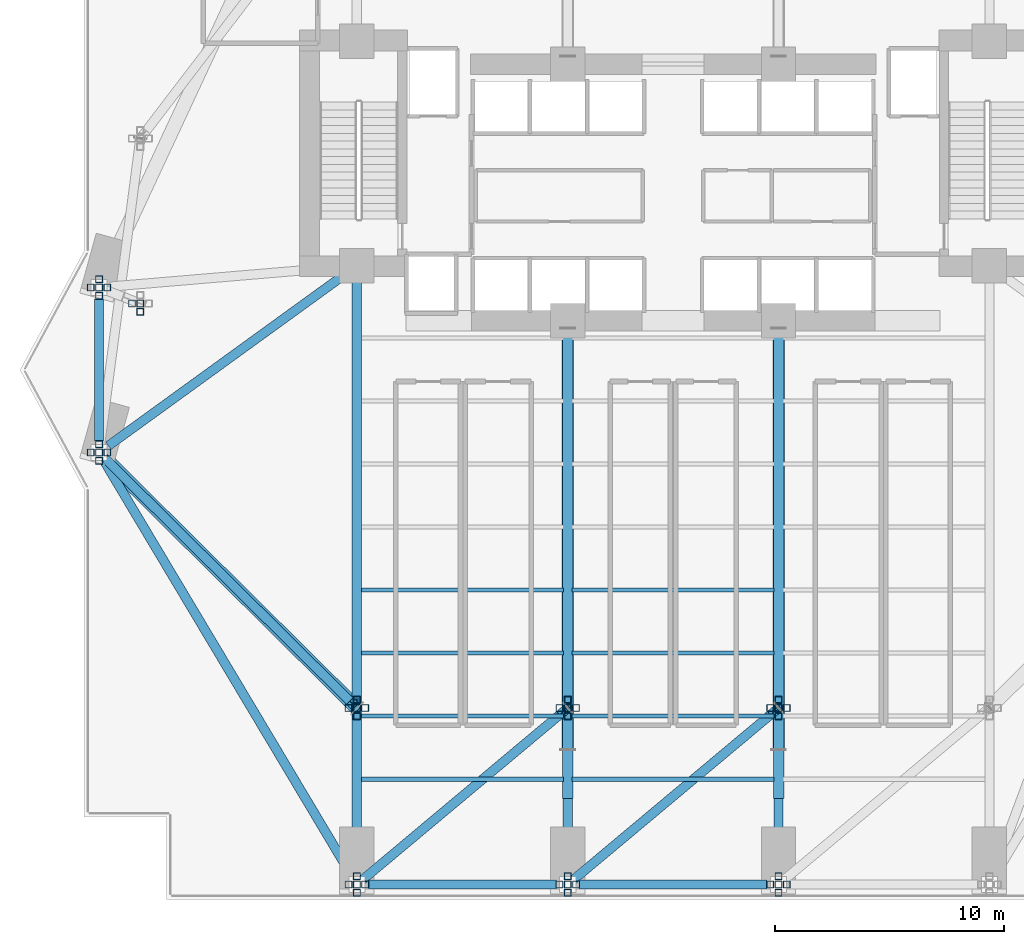
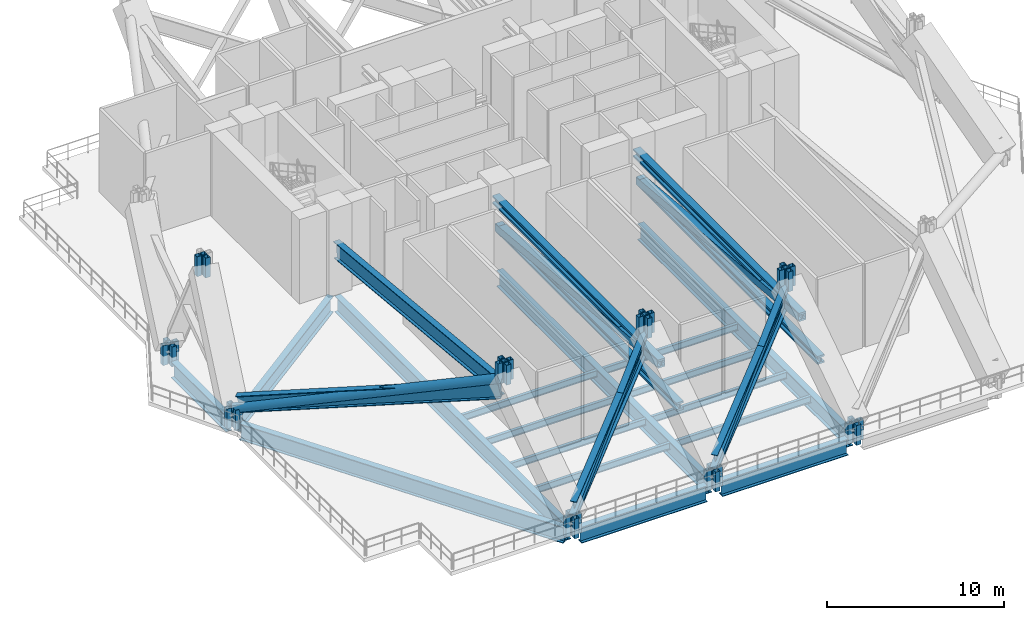
# One storey, part 2 of 21: 52 members, 20 beams.
"""IFC4 building model written with IfcOpenShell, lengths in metres."""

from ifc_helpers import new_model, si_unit, direction, frame, origin, origin_2d, place, context, subcontext, project, spatial, hollow_rectangle, hollow_circle, i_section, extrude, material, material_profile, profile_set, type_object, element, save


model = new_model("IFC4")

# Units and contexts
model_context = context("Model", 3, precision=1e-05, world=origin(), true_north=direction((0.0, 1.0)))
body_context = subcontext(model_context, "Body", "Model", "MODEL_VIEW")
ifc_project = project(units=[si_unit("LENGTHUNIT", "METRE"), si_unit("AREAUNIT", "SQUARE_METRE"), si_unit("VOLUMEUNIT", "CUBIC_METRE"), si_unit("PLANEANGLEUNIT", "RADIAN"), si_unit("MASSUNIT", "GRAM", prefix="KILO")], contexts=[model_context])

# Site, building, storey
site_placement = place(None, origin())
site = spatial("IfcSite", under=ifc_project, at=site_placement, CompositionType="ELEMENT")
building_placement = place(site_placement, origin())
building = spatial("IfcBuilding", under=site, at=building_placement, Name="Zuhayl Quay Hotel", CompositionType="ELEMENT")
storey_placement = place(building_placement, frame((0.0, 0.0, 89.64990234375)))
storey = spatial("IfcBuildingStorey", under=building, at=storey_placement, Name="L22", CompositionType="ELEMENT", Elevation=89.64990234375)

# Beams
ifc_material_1 = material(Name="Steel ASTM A992 Grade 50", Category="steel")
ifc_material_profile_1 = material_profile(ifc_material_1, i_section(OverallWidth=0.18994140625, OverallDepth=0.45703125, WebThickness=0.009033203125, FlangeThickness=0.014404296875, at=origin_2d()), Name="W18X50")
ifc_profile_set_1 = profile_set([ifc_material_profile_1], Name="Steel ASTM A992 Grade 50")
beam_type_1 = type_object("IfcBeamType", Name="BM_J2_W18X50", PredefinedType="JOIST", material=ifc_profile_set_1)
for number, where, z_axis, x_axis, name in (
    (1, (-13.60595703125, -17.85009765625, -0.48828125), (1.0, 0.0, 0.0), (0.0, 1.0, 0.0), "L22 Floor Beam FJ_L22_3_1"),
    (2, (-4.406005859375, -17.85009765625, -0.48828125), (1.0, 0.0, 0.0), (0.0, 1.0, 0.0), "L22 Floor Beam FJ_L22_3_2"),
    (3, (-13.60595703125, -15.10009765625, -0.48828125), (1.0, 0.0, 0.0), (0.0, 1.0, 0.0), "L22 Floor Beam FJ_L22_4_1"),
    (4, (-4.406005859375, -15.10009765625, -0.48828125), (1.0, 0.0, 0.0), (0.0, 1.0, 0.0), "L22 Floor Beam FJ_L22_4_2"),
    (5, (-13.60595703125, -12.35009765625, -0.48828125), (1.0, 0.0, 0.0), (0.0, 1.0, 0.0), "L22 Floor Beam FJ_L22_5_1"),
    (6, (-4.406005859375, -12.35009765625, -0.48828125), (1.0, 0.0, 0.0), (0.0, 1.0, 0.0), "L22 Floor Beam FJ_L22_5_2"),
    (7, (-13.60595703125, -9.60009765625, -0.48828125), (1.0, 0.0, 0.0), (0.0, 1.0, 0.0), "L22 Floor Beam FJ_L22_6_1"),
    (8, (-4.406005859375, -9.60009765625, -0.48828125), (1.0, 0.0, 0.0), (0.0, 1.0, 0.0), "L22 Floor Beam FJ_L22_6_2"),
):
    element("IfcBeam", number, at=place(storey_placement, frame(where, z_axis=z_axis, x_axis=x_axis)), inside=storey, type_object=beam_type_1, Name=name, PredefinedType="JOIST", context=body_context, shape_type="SweptSolid", body=[
        extrude(i_section(OverallWidth=0.18994140625, OverallDepth=0.45703125, WebThickness=0.009033203125, FlangeThickness=0.014404296875, at=origin_2d()), origin(), (0.0, 0.0, 1.0), 8.81201171875),
    ])
ifc_material_2 = material(Name="Steel ASTM A913 Grade 65", Category="steel")
ifc_material_profile_2 = material_profile(ifc_material_2, i_section(OverallWidth=0.404052734375, OverallDepth=1.117919921875, WebThickness=0.026123046875, FlangeThickness=0.044921875, at=origin_2d()), Name="W44X335")
ifc_profile_set_2 = profile_set([ifc_material_profile_2], Name="Steel ASTM A913 Grade 65")
beam_type_2 = type_object("IfcBeamType", Name="BM_TG1_W44X335", PredefinedType="BEAM", material=ifc_profile_set_2)
beam_1_placement = place(storey_placement, frame((-13.300048828125, -22.449951171875, -0.81884765625), z_axis=(1.0, 0.0, 0.0), x_axis=(0.0, 1.0, 0.0)))
element("IfcBeam", 9, at=beam_1_placement, inside=storey, type_object=beam_type_2, Name="L22 Floor Beam RG_L22_01", PredefinedType="BEAM", context=body_context, shape_type="SweptSolid", body=[
    extrude(i_section(OverallWidth=0.404052734375, OverallDepth=1.117919921875, WebThickness=0.026123046875, FlangeThickness=0.044921875, at=origin_2d()), origin(), (0.0, 0.0, 1.0), 8.199951171875),
])
beam_2_placement = place(storey_placement, frame((-4.10009765625, -22.449951171875, -0.81884765625), z_axis=(1.0, 0.0, 0.0), x_axis=(0.0, 1.0, 0.0)))
element("IfcBeam", 10, at=beam_2_placement, inside=storey, type_object=beam_type_2, Name="L22 Floor Beam RG_L22_02", PredefinedType="BEAM", context=body_context, shape_type="SweptSolid", body=[
    extrude(i_section(OverallWidth=0.404052734375, OverallDepth=1.117919921875, WebThickness=0.026123046875, FlangeThickness=0.044921875, at=origin_2d()), origin(), (0.0, 0.0, 1.0), 8.2001953125),
])
beam_3_placement = place(storey_placement, frame((-25.050048828125, 3.10009765625, -0.81884765625), z_axis=(0.0, -1.0, 0.0), x_axis=(1.0, 0.0, 0.0)))
element("IfcBeam", 11, at=beam_3_placement, inside=storey, type_object=beam_type_2, Name="L22 Floor Beam RG_L22_11", PredefinedType="BEAM", context=body_context, shape_type="SweptSolid", body=[
    extrude(i_section(OverallWidth=0.404052734375, OverallDepth=1.117919921875, WebThickness=0.026123046875, FlangeThickness=0.044921875, at=origin_2d()), origin(), (0.0, 0.0, 1.0), 6.2001953125),
])
beam_4_placement = place(storey_placement, frame((-24.793701171875, -4.029296875, -0.81884765625), z_axis=(0.512482593247, -0.85869761361, 0.0), x_axis=(0.85869761361, 0.512482593247, 0.0)))
element("IfcBeam", 12, at=beam_4_placement, inside=storey, type_object=beam_type_2, Name="L22 Floor Beam RG_L22_12", PredefinedType="BEAM", context=body_context, shape_type="SweptSolid", body=[
    extrude(i_section(OverallWidth=0.404052734375, OverallDepth=1.117919921875, WebThickness=0.026123046875, FlangeThickness=0.044921875, at=origin_2d()), origin(), (0.0, 0.0, 1.0), 20.9521484375),
])
for number, where, z_axis, x_axis, name in (
    (13, (-13.56982421875, -22.257568359375, 0.9501953125), (0.729927334205, 0.610950687603, 0.306505047427), (-0.641843222596, 0.766835887011, 0.0), "L22 Wind-Floor Inclined Belt Girder 01"),
    (14, (-4.369873046875, -22.257568359375, 0.9501953125), (0.729927334205, 0.610950687603, 0.306505047427), (-0.641843222596, 0.766835887011, 0.0), "L22 Wind-Floor Inclined Belt Girder 02"),
):
    element("IfcBeam", number, at=place(storey_placement, frame(where, z_axis=z_axis, x_axis=x_axis)), inside=storey, type_object=beam_type_2, Name=name, PredefinedType="BEAM", context=body_context, shape_type="SweptSolid", body=[
        extrude(i_section(OverallWidth=0.404052734375, OverallDepth=1.117919921875, WebThickness=0.026123046875, FlangeThickness=0.044921875, at=origin_2d()), origin(), (0.0, 0.0, 1.0), 11.973388671875),
    ])
beam_5_placement = place(storey_placement, frame((-24.8369140625, -3.811279296875, 0.9501953125), z_axis=(0.690514829797, -0.684378166221, 0.234127733151), x_axis=(0.703943686325, 0.710255789475, 0.0)))
element("IfcBeam", 15, at=beam_5_placement, inside=storey, type_object=beam_type_2, Name="L22 Wind-Floor Inclined Belt Girder 12", PredefinedType="BEAM", context=body_context, shape_type="SweptSolid", body=[
    extrude(i_section(OverallWidth=0.404052734375, OverallDepth=1.117919921875, WebThickness=0.026123046875, FlangeThickness=0.044921875, at=origin_2d()), origin(), (0.0, 0.0, 1.0), 15.6748046875),
])
beam_6_placement = place(storey_placement, frame((-13.800048828125, 4.199951171875, 2.85009765625), z_axis=(0.0, -0.995502517166, 0.094735095484), x_axis=(1.0, 0.0, 0.0)))
element("IfcBeam", 16, at=beam_6_placement, inside=storey, type_object=beam_type_2, Name="L22 Wind-Floor Inclined Outrigger Girder 3", PredefinedType="BEAM", context=body_context, shape_type="SweptSolid", body=[
    extrude(i_section(OverallWidth=0.404052734375, OverallDepth=1.117919921875, WebThickness=0.026123046875, FlangeThickness=0.044921875, at=origin_2d()), origin(), (0.0, 0.0, 1.0), 18.683837890625),
])
beam_7_placement = place(storey_placement, frame((-13.800048828125, -21.949951171875, -0.81884765625), z_axis=(0.0, 1.0, 0.0), x_axis=(-1.0, 0.0, 0.0)))
element("IfcBeam", 17, at=beam_7_placement, inside=storey, type_object=beam_type_2, Name="L22 Floor Beam FG_S_L22_1", PredefinedType="BEAM", context=body_context, shape_type="SweptSolid", body=[
    extrude(i_section(OverallWidth=0.404052734375, OverallDepth=1.117919921875, WebThickness=0.026123046875, FlangeThickness=0.044921875, at=origin_2d()), origin(), (0.0, 0.0, 1.0), 26.050048828125),
])
for number, where, z_axis, x_axis, name in (
    (18, (-4.60009765625, -21.949951171875, -0.81884765625), (0.0, 1.0, 0.0), (-1.0, 0.0, 0.0), "L22 Floor Beam FG_S_L22_2"),
    (19, (4.60009765625, -21.949951171875, -0.81884765625), (0.0, 1.0, 0.0), (-1.0, 0.0, 0.0), "L22 Floor Beam FG_S_L22_3"),
):
    element("IfcBeam", number, at=place(storey_placement, frame(where, z_axis=z_axis, x_axis=x_axis)), inside=storey, type_object=beam_type_2, Name=name, PredefinedType="BEAM", context=body_context, shape_type="SweptSolid", body=[
        extrude(i_section(OverallWidth=0.404052734375, OverallDepth=1.117919921875, WebThickness=0.026123046875, FlangeThickness=0.044921875, at=origin_2d()), origin(), (0.0, 0.0, 1.0), 23.64990234375),
    ])
beam_8_placement = place(storey_placement, frame((-24.64501953125, -3.306640625, -0.81884765625), z_axis=(0.809830244688, 0.586664277751, 0.0), x_axis=(-0.586664277751, 0.809830244688, 0.0)))
element("IfcBeam", 20, at=beam_8_placement, inside=storey, type_object=beam_type_2, Name="L22 Floor Beam FG_W_L22_1", PredefinedType="BEAM", context=body_context, shape_type="SweptSolid", body=[
    extrude(i_section(OverallWidth=0.404052734375, OverallDepth=1.117919921875, WebThickness=0.026123046875, FlangeThickness=0.044921875, at=origin_2d()), origin(), (0.0, 0.0, 1.0), 12.94189453125),
])

# Members
ifc_material_3 = material(Name="Steel ASTM A500 Grade C", Category="steel")
ifc_material_profile_3 = material_profile(ifc_material_3, hollow_rectangle(XDim=0.39990234375, YDim=0.39990234375, WallThickness=0.01611328125, at=origin_2d()), Name="HSS400X400X16")
ifc_profile_set_3 = profile_set([ifc_material_profile_3], Name="Steel ASTM A500 Grade C")
member_type_1 = type_object("IfcMemberType", Name="MB_BT_DIAG_HSS400", PredefinedType="BRACE", material=ifc_profile_set_3)
for number, where, z_axis, x_axis, name in (
    (21, (-13.800048828125, -22.449951171875, 0.550048828125), (0.709918879163, 0.594170621498, 0.378122278578), (-0.641822293965, 0.766853403833, 0.0), "L22 Belt Truss BT1 Diagonal S12"),
    (22, (-4.60009765625, -22.449951171875, 0.550048828125), (0.709928223522, 0.594162674919, 0.378117221481), (-0.641812278073, 0.766861786579, 0.0), "L22 Belt Truss BT1 Diagonal S23"),
):
    element("IfcMember", number, at=place(storey_placement, frame(where, z_axis=z_axis, x_axis=x_axis)), inside=storey, type_object=member_type_1, Name=name, PredefinedType="BRACE", context=body_context, shape_type="SweptSolid", body=[
        extrude(hollow_rectangle(XDim=0.39990234375, YDim=0.39990234375, WallThickness=0.01611328125, at=origin_2d()), origin(), (0.0, 0.0, 1.0), 12.959228515625),
    ])
ifc_material_profile_4 = material_profile(ifc_material_3, hollow_rectangle(XDim=0.300048828125, YDim=0.300048828125, WallThickness=0.012451171875, at=origin_2d()), Name="HSS300X300X12")
ifc_profile_set_4 = profile_set([ifc_material_profile_4], Name="Steel ASTM A500 Grade C")
member_type_2 = type_object("IfcMemberType", Name="MB_CR_BRACE_HSS300", PredefinedType="BRACE", material=ifc_profile_set_4)
for number, where, z_axis, x_axis, name in (
    (23, (-13.800048828125, -22.449951171875, -0.64990234375), (0.0, 0.0, 1.0), (1.0, 0.0, 0.0), "L22 Mega-Column Lower Knuckle Leg MC_S1-1"),
    (24, (-13.800048828125, -14.75, 5.280029296875), (0.0, 0.0, 1.0), (1.0, 0.0, 0.0), "L22 Mega-Column Upper Knuckle Leg MC_S1-1"),
    (25, (-13.800048828125, -22.090087890625, -0.64990234375), (0.0, 0.0, 1.0), (1.0, 0.0, 0.0), "L22 Mega-Column Lower Knuckle Leg MC_S1-2"),
    (26, (-13.800048828125, -14.389892578125, 5.280029296875), (0.0, 0.0, 1.0), (1.0, 0.0, 0.0), "L22 Mega-Column Upper Knuckle Leg MC_S1-2"),
    (27, (-13.800048828125, -22.81005859375, -0.64990234375), (0.0, 0.0, 1.0), (1.0, 0.0, 0.0), "L22 Mega-Column Lower Knuckle Leg MC_S1-3"),
    (28, (-13.800048828125, -15.110107421875, 5.280029296875), (0.0, 0.0, 1.0), (1.0, 0.0, 0.0), "L22 Mega-Column Upper Knuckle Leg MC_S1-3"),
    (29, (-13.43994140625, -22.449951171875, -0.64990234375), (0.0, 0.0, 1.0), (1.0, 0.0, 0.0), "L22 Mega-Column Lower Knuckle Leg MC_S1-4"),
    (30, (-13.43994140625, -14.75, 5.280029296875), (0.0, 0.0, 1.0), (1.0, 0.0, 0.0), "L22 Mega-Column Upper Knuckle Leg MC_S1-4"),
    (31, (-14.159912109375, -22.449951171875, -0.64990234375), (0.0, 0.0, 1.0), (1.0, 0.0, 0.0), "L22 Mega-Column Lower Knuckle Leg MC_S1-5"),
    (32, (-14.159912109375, -14.75, 5.280029296875), (0.0, 0.0, 1.0), (1.0, 0.0, 0.0), "L22 Mega-Column Upper Knuckle Leg MC_S1-5"),
    (33, (-4.60009765625, -22.449951171875, -0.64990234375), (0.0, 0.0, 1.0), (1.0, 0.0, 0.0), "L22 Mega-Column Lower Knuckle Leg MC_S2-1"),
    (34, (-4.60009765625, -14.75, 5.280029296875), (0.0, 0.0, 1.0), (1.0, 0.0, 0.0), "L22 Mega-Column Upper Knuckle Leg MC_S2-1"),
    (35, (-4.60009765625, -22.090087890625, -0.64990234375), (0.0, 0.0, 1.0), (1.0, 0.0, 0.0), "L22 Mega-Column Lower Knuckle Leg MC_S2-2"),
    (36, (-4.60009765625, -14.389892578125, 5.280029296875), (0.0, 0.0, 1.0), (1.0, 0.0, 0.0), "L22 Mega-Column Upper Knuckle Leg MC_S2-2"),
    (37, (-4.60009765625, -22.81005859375, -0.64990234375), (0.0, 0.0, 1.0), (1.0, 0.0, 0.0), "L22 Mega-Column Lower Knuckle Leg MC_S2-3"),
    (38, (-4.60009765625, -15.110107421875, 5.280029296875), (0.0, 0.0, 1.0), (1.0, 0.0, 0.0), "L22 Mega-Column Upper Knuckle Leg MC_S2-3"),
    (39, (-4.239990234375, -22.449951171875, -0.64990234375), (0.0, 0.0, 1.0), (1.0, 0.0, 0.0), "L22 Mega-Column Lower Knuckle Leg MC_S2-4"),
    (40, (-4.239990234375, -14.75, 5.280029296875), (0.0, 0.0, 1.0), (1.0, 0.0, 0.0), "L22 Mega-Column Upper Knuckle Leg MC_S2-4"),
    (41, (-4.9599609375, -22.449951171875, -0.64990234375), (0.0, 0.0, 1.0), (1.0, 0.0, 0.0), "L22 Mega-Column Lower Knuckle Leg MC_S2-5"),
    (42, (-4.9599609375, -14.75, 5.280029296875), (0.0, 0.0, 1.0), (1.0, 0.0, 0.0), "L22 Mega-Column Upper Knuckle Leg MC_S2-5"),
    (43, (4.60009765625, -22.449951171875, -0.64990234375), (0.0, 0.0, 1.0), (1.0, 0.0, 0.0), "L22 Mega-Column Lower Knuckle Leg MC_S3-1"),
    (44, (4.60009765625, -14.75, 5.280029296875), (0.0, 0.0, 1.0), (1.0, 0.0, 0.0), "L22 Mega-Column Upper Knuckle Leg MC_S3-1"),
    (45, (4.60009765625, -22.090087890625, -0.64990234375), (0.0, 0.0, 1.0), (1.0, 0.0, 0.0), "L22 Mega-Column Lower Knuckle Leg MC_S3-2"),
    (46, (4.60009765625, -14.389892578125, 5.280029296875), (0.0, 0.0, 1.0), (1.0, 0.0, 0.0), "L22 Mega-Column Upper Knuckle Leg MC_S3-2"),
    (47, (4.60009765625, -22.81005859375, -0.64990234375), (0.0, 0.0, 1.0), (1.0, 0.0, 0.0), "L22 Mega-Column Lower Knuckle Leg MC_S3-3"),
    (48, (4.60009765625, -15.110107421875, 5.280029296875), (0.0, 0.0, 1.0), (1.0, 0.0, 0.0), "L22 Mega-Column Upper Knuckle Leg MC_S3-3"),
    (49, (4.9599609375, -22.449951171875, -0.64990234375), (0.0, 0.0, 1.0), (1.0, 0.0, 0.0), "L22 Mega-Column Lower Knuckle Leg MC_S3-4"),
    (50, (4.9599609375, -14.75, 5.280029296875), (0.0, 0.0, 1.0), (1.0, 0.0, 0.0), "L22 Mega-Column Upper Knuckle Leg MC_S3-4"),
    (51, (4.239990234375, -22.449951171875, -0.64990234375), (0.0, 0.0, 1.0), (1.0, 0.0, 0.0), "L22 Mega-Column Lower Knuckle Leg MC_S3-5"),
    (52, (4.239990234375, -14.75, 5.280029296875), (0.0, 0.0, 1.0), (1.0, 0.0, 0.0), "L22 Mega-Column Upper Knuckle Leg MC_S3-5"),
    (53, (-25.050048828125, -3.60009765625, -0.64990234375), (0.0, 0.0, 1.0), (1.0, 0.0, 0.0), "L22 Mega-Column Lower Knuckle Leg MC_W1-1"),
    (54, (-23.25, 2.89990234375, 5.280029296875), (0.0, 0.0, 1.0), (1.0, 0.0, 0.0), "L22 Mega-Column Upper Knuckle Leg MC_W1-1"),
    (55, (-25.050048828125, -3.239990234375, -0.64990234375), (0.0, 0.0, 1.0), (1.0, 0.0, 0.0), "L22 Mega-Column Lower Knuckle Leg MC_W1-2"),
    (56, (-25.050048828125, -3.9599609375, -0.64990234375), (0.0, 0.0, 1.0), (1.0, 0.0, 0.0), "L22 Mega-Column Lower Knuckle Leg MC_W1-3"),
    (57, (-23.25, 2.5400390625, 5.280029296875), (0.0, 0.0, 1.0), (1.0, 0.0, 0.0), "L22 Mega-Column Upper Knuckle Leg MC_W1-3"),
    (58, (-24.68994140625, -3.60009765625, -0.64990234375), (0.0, 0.0, 1.0), (1.0, 0.0, 0.0), "L22 Mega-Column Lower Knuckle Leg MC_W1-4"),
    (59, (-25.409912109375, -3.60009765625, -0.64990234375), (0.0, 0.0, 1.0), (1.0, 0.0, 0.0), "L22 Mega-Column Lower Knuckle Leg MC_W1-5"),
    (60, (-23.610107421875, 2.89990234375, 5.280029296875), (0.0, 0.0, 1.0), (1.0, 0.0, 0.0), "L22 Mega-Column Upper Knuckle Leg MC_W1-5"),
    (61, (-25.050048828125, 3.60009765625, -0.64990234375), (0.0, 0.0, 1.0), (1.0, 0.0, 0.0), "L22 Mega-Column Lower Knuckle Leg MC_W2-1"),
    (62, (-25.050048828125, 3.9599609375, -0.64990234375), (0.0, 0.0, 1.0), (1.0, 0.0, 0.0), "L22 Mega-Column Lower Knuckle Leg MC_W2-2"),
    (63, (-25.050048828125, 3.239990234375, -0.64990234375), (0.0, 0.0, 1.0), (1.0, 0.0, 0.0), "L22 Mega-Column Lower Knuckle Leg MC_W2-3"),
    (64, (-24.68994140625, 3.60009765625, -0.64990234375), (0.0, 0.0, 1.0), (1.0, 0.0, 0.0), "L22 Mega-Column Lower Knuckle Leg MC_W2-4"),
    (65, (-25.409912109375, 3.60009765625, -0.64990234375), (0.0, 0.0, 1.0), (1.0, 0.0, 0.0), "L22 Mega-Column Lower Knuckle Leg MC_W2-5"),
):
    element("IfcMember", number, at=place(storey_placement, frame(where, z_axis=z_axis, x_axis=x_axis)), inside=storey, type_object=member_type_2, Name=name, PredefinedType="STRUT", context=body_context, shape_type="SweptSolid", body=[
        extrude(hollow_rectangle(XDim=0.300048828125, YDim=0.300048828125, WallThickness=0.012451171875, at=origin_2d()), origin(), (0.0, 0.0, 1.0), 1.3701171875),
    ])
ifc_material_profile_5 = material_profile(ifc_material_2, i_section(OverallWidth=0.4541015625, OverallDepth=0.569091796875, WebThickness=0.077880859375, FlangeThickness=0.124755859375, at=origin_2d()), Name="W14X730")
ifc_profile_set_5 = profile_set([ifc_material_profile_5], Name="Steel ASTM A913 Grade 65")
member_type_3 = type_object("IfcMemberType", Name="MB_OT_CHORD_730", PredefinedType="CHORD", material=ifc_profile_set_5)
member_1_placement = place(storey_placement, frame((-4.60009765625, -18.68896484375, 2.650146484375), z_axis=(0.0, 1.0, 0.0), x_axis=(-1.0, 0.0, 0.0)))
element("IfcMember", 66, at=member_1_placement, inside=storey, type_object=member_type_3, Name="L22 Outrigger Truss OT1 South Bottom Chord 1", PredefinedType="CHORD", context=body_context, shape_type="SweptSolid", body=[
    extrude(i_section(OverallWidth=0.4541015625, OverallDepth=0.569091796875, WebThickness=0.077880859375, FlangeThickness=0.124755859375, at=origin_2d()), origin(), (0.0, 0.0, 1.0), 20.489013671875),
])
member_2_placement = place(storey_placement, frame((-4.60009765625, -16.602294921875, 4.35009765625), z_axis=(0.0, 1.0, 0.0), x_axis=(-1.0, 0.0, 0.0)))
element("IfcMember", 67, at=member_2_placement, inside=storey, type_object=member_type_3, Name="L22 Outrigger Truss OT1 South Top Chord 1", PredefinedType="CHORD", context=body_context, shape_type="SweptSolid", body=[
    extrude(i_section(OverallWidth=0.4541015625, OverallDepth=0.569091796875, WebThickness=0.077880859375, FlangeThickness=0.124755859375, at=origin_2d()), origin(), (0.0, 0.0, 1.0), 18.752197265625),
])
member_3_placement = place(storey_placement, frame((4.60009765625, -18.68896484375, 2.650146484375), z_axis=(0.0, 1.0, 0.0), x_axis=(-1.0, 0.0, 0.0)))
element("IfcMember", 68, at=member_3_placement, inside=storey, type_object=member_type_3, Name="L22 Outrigger Truss OT1 South Bottom Chord 2", PredefinedType="CHORD", context=body_context, shape_type="SweptSolid", body=[
    extrude(i_section(OverallWidth=0.4541015625, OverallDepth=0.569091796875, WebThickness=0.077880859375, FlangeThickness=0.124755859375, at=origin_2d()), origin(), (0.0, 0.0, 1.0), 20.489013671875),
])
member_4_placement = place(storey_placement, frame((4.60009765625, -16.602294921875, 4.35009765625), z_axis=(0.0, 1.0, 0.0), x_axis=(-1.0, 0.0, 0.0)))
element("IfcMember", 69, at=member_4_placement, inside=storey, type_object=member_type_3, Name="L22 Outrigger Truss OT1 South Top Chord 2", PredefinedType="CHORD", context=body_context, shape_type="SweptSolid", body=[
    extrude(i_section(OverallWidth=0.4541015625, OverallDepth=0.569091796875, WebThickness=0.077880859375, FlangeThickness=0.124755859375, at=origin_2d()), origin(), (0.0, 0.0, 1.0), 18.752197265625),
])
ifc_material_profile_6 = material_profile(ifc_material_3, hollow_rectangle(XDim=0.5, YDim=0.5, WallThickness=0.02001953125, at=origin_2d()), Name="HSS500X500X20")
ifc_profile_set_6 = profile_set([ifc_material_profile_6], Name="Steel ASTM A500 Grade C")
member_type_4 = type_object("IfcMemberType", Name="MB_OT_DIAG_HSS500", PredefinedType="BRACE", material=ifc_profile_set_6)
for number, where, z_axis, x_axis, name in (
    (70, (-4.60009765625, 1.800048828125, 2.650146484375), (0.0, -0.995737362966, 0.092233963341), (1.0, 0.0, 0.0), "L22 Outrigger Truss OT1 South Diagonal 1"),
    (71, (4.60009765625, 1.800048828125, 2.650146484375), (0.0, -0.995737362966, 0.092233963341), (1.0, 0.0, 0.0), "L22 Outrigger Truss OT1 South Diagonal 2"),
):
    element("IfcMember", number, at=place(storey_placement, frame(where, z_axis=z_axis, x_axis=x_axis)), inside=storey, type_object=member_type_4, Name=name, PredefinedType="BRACE", context=body_context, shape_type="SweptSolid", body=[
        extrude(hollow_rectangle(XDim=0.5, YDim=0.5, WallThickness=0.02001953125, at=origin_2d()), origin(), (0.0, 0.0, 1.0), 18.430908203125),
    ])
ifc_material_profile_7 = material_profile(ifc_material_3, hollow_circle(Radius=0.304931640625, WallThickness=0.02001953125, at=origin_2d()), Name="CHS610X20")
ifc_profile_set_7 = profile_set([ifc_material_profile_7], Name="Steel ASTM A500 Grade C")
member_type_5 = type_object("IfcMemberType", Name="MB_ST_CHS610", PredefinedType="STRUT", material=ifc_profile_set_7)
member_5_placement = place(storey_placement, frame((-25.050048828125, -3.60009765625, 0.550048828125), z_axis=(0.678530991171, -0.672493714556, 0.29554677786), x_axis=(0.703939929527, 0.710259512866, 0.0)))
element("IfcMember", 72, at=member_5_placement, inside=storey, type_object=member_type_5, Name="L22 Wind-Floor Corner Mega-Strut SW", PredefinedType="STRUT", context=body_context, shape_type="SweptSolid", body=[
    extrude(hollow_circle(Radius=0.304931640625, WallThickness=0.02001953125, at=origin_2d()), origin(), (0.0, 0.0, 1.0), 16.579833984375),
])

save(model, "model.ifc")
